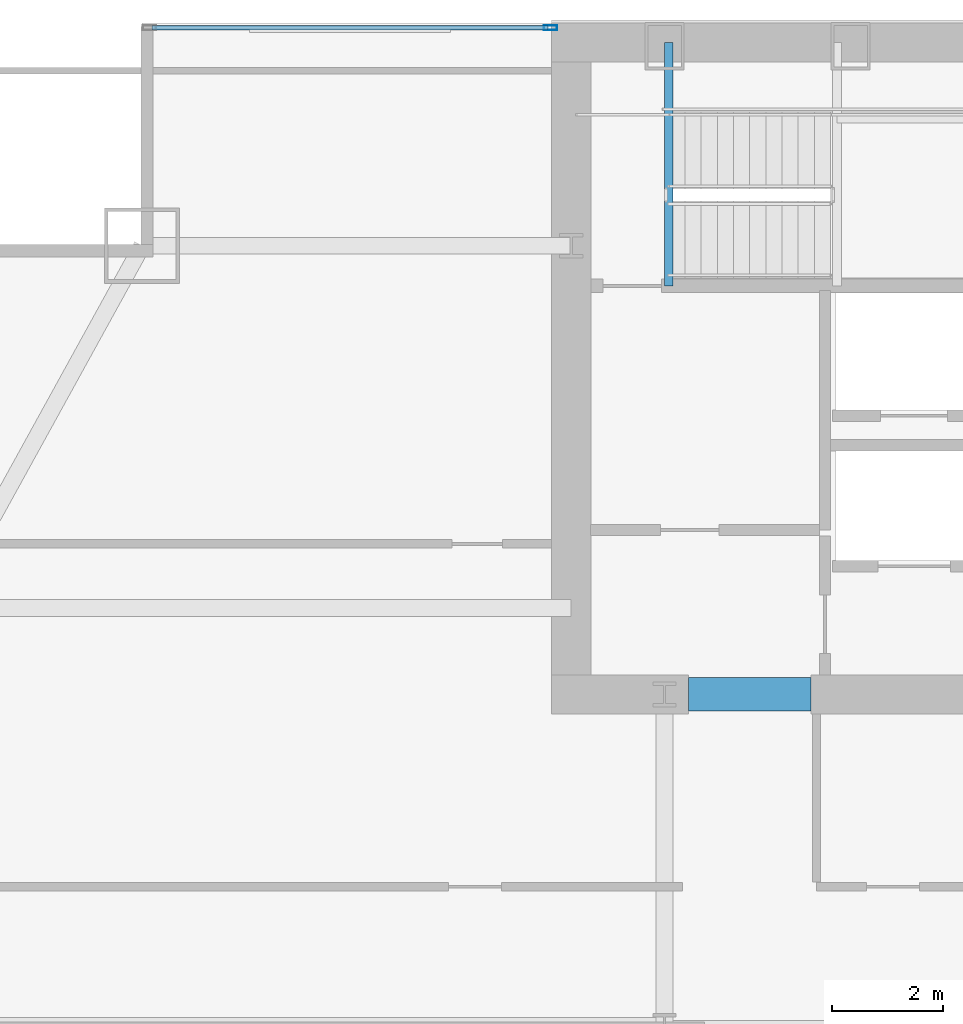
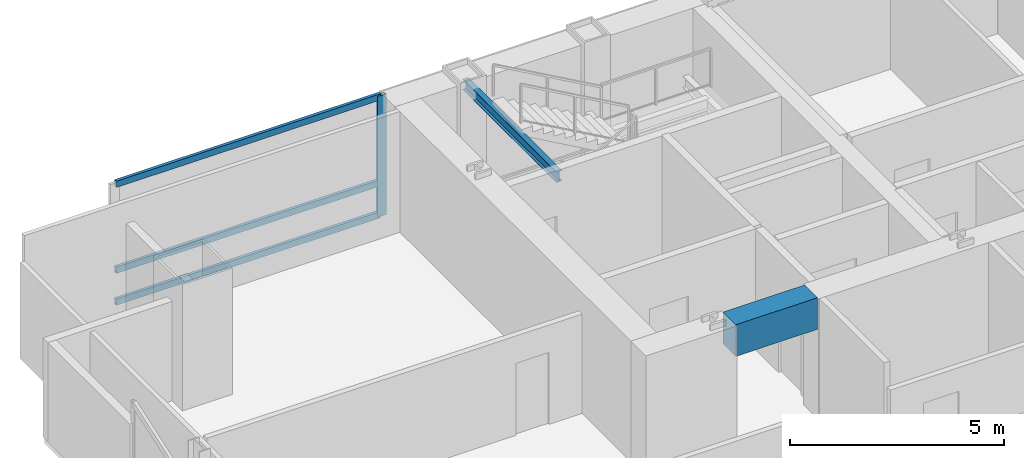
# One storey, part 18 of 29: 4 members, 2 beams, 1 element without a shape of its own.
"""IFC4 building model written with IfcOpenShell, lengths in metres."""

from ifc_helpers import new_model, si_unit, direction, frame, origin, origin_2d, place, context, subcontext, project, spatial, rectangle, hollow_rectangle, i_section, extrude, material, material_profile, profile_set, type_object, element, aggregate, save


model = new_model("IFC4")

# Units and contexts
model_context = context("Model", 3, precision=1e-05, world=origin(), true_north=direction((0.0, 1.0)))
body_context = subcontext(model_context, "Body", "Model", "MODEL_VIEW")
ifc_project = project(units=[si_unit("LENGTHUNIT", "METRE"), si_unit("AREAUNIT", "SQUARE_METRE"), si_unit("VOLUMEUNIT", "CUBIC_METRE"), si_unit("PLANEANGLEUNIT", "RADIAN"), si_unit("MASSUNIT", "GRAM", prefix="KILO")], contexts=[model_context])

# Site, building, storey
site_placement = place(None, origin())
site = spatial("IfcSite", under=ifc_project, at=site_placement, CompositionType="ELEMENT")
building_placement = place(site_placement, origin())
building = spatial("IfcBuilding", under=site, at=building_placement, Name="Khoronbel Lancet Exchange", CompositionType="ELEMENT")
storey_placement = place(building_placement, frame((0.0, 0.0, 150.60009765625)))
storey = spatial("IfcBuildingStorey", under=building, at=storey_placement, Name="L37", CompositionType="ELEMENT", Elevation=150.60009765625)

# Beams
ifc_material_1 = material(Name="Steel S355", Category="steel")
ifc_material_profile_1 = material_profile(ifc_material_1, i_section(OverallWidth=0.14990234375, OverallDepth=0.300048828125, WebThickness=0.007080078125, FlangeThickness=0.0107421875, at=origin_2d()), Name="IPE 300")
ifc_profile_set_1 = profile_set([ifc_material_profile_1], Name="Steel S355")
beam_type_1 = type_object("IfcBeamType", Name="BM-BJ8", PredefinedType="JOIST", material=ifc_profile_set_1)
beam_1_placement = place(storey_placement, frame((18.300048828125, 48.97998046875, 3.159912109375), z_axis=(0.0, 1.0, 0.0), x_axis=(-1.0, 0.0, 0.0)))
element("IfcBeam", 1, at=beam_1_placement, inside=storey, type_object=beam_type_1, Name="Level L37 stair ST1 upper-flight arrival trimmer beam", PredefinedType="JOIST", context=body_context, shape_type="SweptSolid", body=[
    extrude(i_section(OverallWidth=0.14990234375, OverallDepth=0.300048828125, WebThickness=0.007080078125, FlangeThickness=0.0107421875, at=origin_2d()), origin(), (0.0, 0.0, 1.0), 4.3701171875),
])
ifc_material_2 = material(Name="Concrete C80/95", Category="concrete")
ifc_material_profile_2 = material_profile(ifc_material_2, rectangle(XDim=0.60009765625, YDim=0.89990234375, at=origin_2d()), Name="RC 600x900")
ifc_profile_set_2 = profile_set([ifc_material_profile_2], Name="Concrete C80/95")
beam_type_2 = type_object("IfcBeamType", Name="BM-BL1", PredefinedType="LINTEL", material=ifc_profile_set_2)
beam_2_placement = place(storey_placement, frame((18.64990234375, 41.64990234375, 2.989990234375), z_axis=(1.0, 0.0, 0.0), x_axis=(0.0, 1.0, 0.0)))
element("IfcBeam", 2, at=beam_2_placement, inside=storey, type_object=beam_type_2, Name="Level L37 rear core coupling lintel L1", PredefinedType="LINTEL", context=body_context, shape_type="SweptSolid", body=[
    extrude(rectangle(XDim=0.60009765625, YDim=0.89990234375, at=origin_2d()), origin(), (0.0, 0.0, 1.0), 2.2001953125),
])

# Curtain wall, members
ifc_material_3 = material(Name="Low-E Solar Control Insulating Glass", Category="glass")
curtain_wall_type = type_object("IfcCurtainWallType", Name="CW-3", PredefinedType="NOTDEFINED", material=ifc_material_3)
curtain_wall_placement = place(storey_placement, origin())
curtain_wall = element("IfcCurtainWall", 3, at=curtain_wall_placement, inside=storey, type_object=curtain_wall_type, Name="Unitised curtain wall CW-L37-NWFLK", PredefinedType="NOTDEFINED")
ifc_material_4 = material(Name="Bronze-Anodised Aluminium 6063-T6", Category="aluminium")
ifc_material_profile_3 = material_profile(ifc_material_4, hollow_rectangle(XDim=0.0849609375, YDim=0.239990234375, WallThickness=0.006103515625, at=origin_2d()), Name="ALU MULLION 85x240")
ifc_profile_set_3 = profile_set([ifc_material_profile_3], Name="Bronze-Anodised Aluminium 6063-T6")
member_type_1 = type_object("IfcMemberType", Name="MEM-CWM1", PredefinedType="MULLION", material=ifc_profile_set_3)
member_1_placement = place(storey_placement, frame((16.177490234375, 53.610107421875, 0.0), z_axis=(0.0, 0.0, 1.0), x_axis=(0.0, -1.0, 0.0)))
member_1 = element("IfcMember", 4, at=member_1_placement, type_object=member_type_1, Name="CW3 mullion 1", PredefinedType="MULLION", context=body_context, shape_type="SweptSolid", body=[
    extrude(hollow_rectangle(XDim=0.0849609375, YDim=0.239990234375, WallThickness=0.006103515625, at=origin_2d()), origin(), (0.0, 0.0, 1.0), 3.43994140625),
])
ifc_material_profile_4 = material_profile(ifc_material_4, hollow_rectangle(XDim=0.0849609375, YDim=0.179931640625, WallThickness=0.0048828125, at=origin_2d()), Name="ALU TRANSOM 85x180")
ifc_profile_set_4 = profile_set([ifc_material_profile_4], Name="Bronze-Anodised Aluminium 6063-T6")
member_type_2 = type_object("IfcMemberType", Name="MEM-CWT1", PredefinedType="USERDEFINED", material=ifc_profile_set_4)
member_2_placement = place(storey_placement, frame((16.135009765625, 53.610107421875, 0.04248046875), z_axis=(-1.0, 0.0, 0.0), x_axis=(0.0, -1.0, 0.0)))
member_2 = element("IfcMember", 5, at=member_2_placement, type_object=member_type_2, Name="CW3 transom 1.1", ObjectType="TRANSOM", PredefinedType="USERDEFINED", context=body_context, shape_type="SweptSolid", body=[
    extrude(hollow_rectangle(XDim=0.0849609375, YDim=0.179931640625, WallThickness=0.0048828125, at=origin_2d()), origin(), (0.0, 0.0, 1.0), 7.110107421875),
])
member_3_placement = place(storey_placement, frame((16.135009765625, 53.610107421875, 0.949951171875), z_axis=(-1.0, 0.0, 0.0), x_axis=(0.0, -1.0, 0.0)))
member_3 = element("IfcMember", 6, at=member_3_placement, type_object=member_type_2, Name="CW3 transom 1.2", ObjectType="TRANSOM", PredefinedType="USERDEFINED", context=body_context, shape_type="SweptSolid", body=[
    extrude(hollow_rectangle(XDim=0.0849609375, YDim=0.179931640625, WallThickness=0.0048828125, at=origin_2d()), origin(), (0.0, 0.0, 1.0), 7.110107421875),
])
member_4_placement = place(storey_placement, frame((16.135009765625, 53.610107421875, 3.3974609375), z_axis=(-1.0, 0.0, 0.0), x_axis=(0.0, -1.0, 0.0)))
member_4 = element("IfcMember", 7, at=member_4_placement, type_object=member_type_2, Name="CW3 transom 1.3", ObjectType="TRANSOM", PredefinedType="USERDEFINED", context=body_context, shape_type="SweptSolid", body=[
    extrude(hollow_rectangle(XDim=0.0849609375, YDim=0.179931640625, WallThickness=0.0048828125, at=origin_2d()), origin(), (0.0, 0.0, 1.0), 7.110107421875),
])
aggregate(curtain_wall, [member_1, member_2, member_3, member_4])

save(model, "model.ifc")
